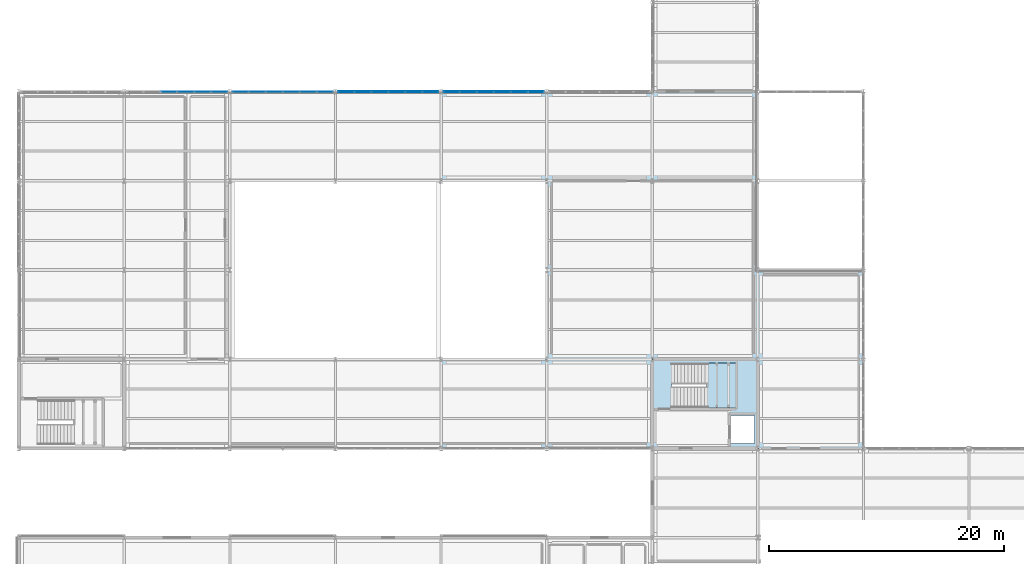
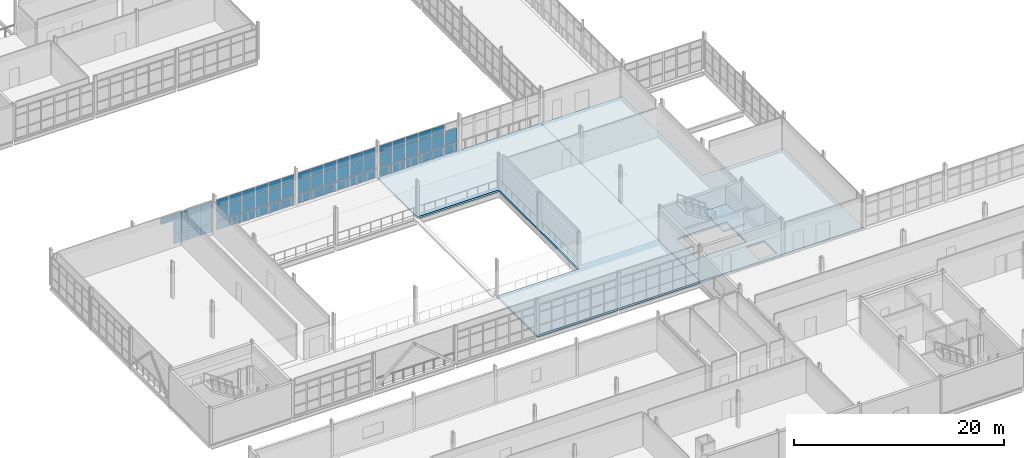
# One storey, part 130 of 174: 63 plates, 3 slabs, 5 elements without a shape of their own.
"""IFC4 building model written with IfcOpenShell, lengths in metres."""

import ifcopenshell
import ifcopenshell.guid

model = None  # the IFC model being written
_history = None  # IfcOwnerHistory: only IFC2X3 demands one
_inside = {}  # id of a spatial element -> (the spatial element, [elements in it])
_under = {}  # id of a project, library or spatial element -> (it, [spatial elements below it])
_declared = {}  # id of a project -> (the project, [libraries it declares])
_typed = {}  # id of a type object -> (the type object, [elements of that type])
_made_of = {}  # id of a material, layer set ... -> (it, [elements and type objects made of it])


def new_model(schema):
    """Start an empty IFC model of exactly this schema.

    Asked for "IFC4X3", IfcOpenShell would pick the latest addendum, in which some entities
    have other attributes; the version numbers below select the first issue.
    IFC2X3 requires an IfcOwnerHistory on every rooted entity: one is made here for all.
    """
    global model, _history
    if schema == "IFC4X3":
        model = ifcopenshell.file(schema_version=(4, 3, 0, 0))
    else:
        model = ifcopenshell.file(schema=schema)
    _inside.clear()
    _under.clear()
    _declared.clear()
    _typed.clear()
    _made_of.clear()
    _history = None
    if model.schema == "IFC2X3":
        org = make("IfcOrganization", Name="unknown")
        user = make(
            "IfcPersonAndOrganization",
            ThePerson=make("IfcPerson", FamilyName="unknown"),
            TheOrganization=org,
        )
        app = make(
            "IfcApplication",
            ApplicationDeveloper=org,
            Version="unknown",
            ApplicationFullName="unknown",
            ApplicationIdentifier="unknown",
        )
        _history = make(
            "IfcOwnerHistory",
            OwningUser=user,
            OwningApplication=app,
            ChangeAction="ADDED",
            CreationDate=0,
        )
    return model


def make(cls, **values):
    """One entity of the class cls with the attributes given. An attribute that is None is left unset."""
    return model.create_entity(
        cls, **{name: value for name, value in values.items() if value is not None}
    )


def rooted(cls, **values):
    """An entity with a GlobalId (a new one), such as an element, a storey or a relation."""
    return make(cls, GlobalId=ifcopenshell.guid.new(), OwnerHistory=_history, **values)


def si_unit(unit_type, name, prefix=None):
    """IfcSIUnit, for example si_unit("LENGTHUNIT", "METRE", prefix="MILLI")."""
    return make("IfcSIUnit", UnitType=unit_type, Prefix=prefix, Name=name)


def assignment(units):
    """IfcUnitAssignment: the units of a project."""
    return None if units is None else make("IfcUnitAssignment", Units=units)


def point(xyz):
    """IfcCartesianPoint."""
    return None if xyz is None else make("IfcCartesianPoint", Coordinates=xyz)


def direction(xyz):
    """IfcDirection."""
    return None if xyz is None else make("IfcDirection", DirectionRatios=xyz)


def frame(location, z_axis=None, x_axis=None):
    """IfcAxis2Placement3D, a coordinate frame: its origin and axes. An axis left out is left unset."""
    return make(
        "IfcAxis2Placement3D",
        Location=point(location),
        Axis=direction(z_axis),
        RefDirection=direction(x_axis),
    )


def frame_2d(location, x_axis=None):
    """IfcAxis2Placement2D, a coordinate frame in the plane: its origin and x axis."""
    return make(
        "IfcAxis2Placement2D", Location=point(location), RefDirection=direction(x_axis)
    )


def origin():
    """The frame at (0, 0, 0) with its axes left unset."""
    return frame((0.0, 0.0, 0.0))


def origin_2d():
    """The frame at (0, 0) in the plane with its x axis left unset."""
    return frame_2d((0.0, 0.0))


def place(relative_to, where):
    """IfcLocalPlacement: puts the frame where relative to a parent placement (None: the world)."""
    return make(
        "IfcLocalPlacement", PlacementRelTo=relative_to, RelativePlacement=where
    )


def context(
    kind, dimensions, precision=None, world=None, true_north=None, identifier=None
):
    """IfcGeometricRepresentationContext, for example the 3D "Model" context."""
    return make(
        "IfcGeometricRepresentationContext",
        ContextIdentifier=identifier,
        ContextType=kind,
        CoordinateSpaceDimension=dimensions,
        Precision=precision,
        WorldCoordinateSystem=world,
        TrueNorth=true_north,
    )


def subcontext(parent, identifier, kind, view, scale=None):
    """IfcGeometricRepresentationSubContext, for example "Body" below "Model"."""
    return make(
        "IfcGeometricRepresentationSubContext",
        ContextIdentifier=identifier,
        ContextType=kind,
        ParentContext=parent,
        TargetScale=scale,
        TargetView=view,
    )


def project(units=None, contexts=None):
    """IfcProject with its units and contexts."""
    return rooted(
        "IfcProject",
        Name="project",
        RepresentationContexts=contexts,
        UnitsInContext=assignment(units),
    )


def spatial(cls, under=None, at=None, **own):
    """A site, building, storey or space (cls), placed at a placement, below another one or the project."""
    s = rooted(cls, ObjectPlacement=at, **own)
    if under is not None:
        _under.setdefault(under.id(), (under, []))[1].append(s)
    return s


def polyline(points):
    """IfcPolyline through the points."""
    return make("IfcPolyline", Points=[point(p) for p in points])


def profile(cls, at=None, kind="AREA", **sizes):
    """A parametric profile (cls). Its sizes go by their IFC names, for example OverallWidth=200.0."""
    return make(cls, ProfileType=kind, Position=at, **sizes)


def rectangle(**sizes):
    """IfcRectangleProfileDef."""
    return profile("IfcRectangleProfileDef", **sizes)


def outline(outer, holes=None, kind="AREA"):
    """IfcArbitraryClosedProfileDef: a profile drawn as a closed curve; with holes, ...WithVoids."""
    if holes is None:
        return make("IfcArbitraryClosedProfileDef", ProfileType=kind, OuterCurve=outer)
    return make(
        "IfcArbitraryProfileDefWithVoids",
        ProfileType=kind,
        OuterCurve=outer,
        InnerCurves=holes,
    )


def extrude(swept, where, along, depth):
    """IfcExtrudedAreaSolid: the profile swept, set in the frame where, extruded along a direction by depth."""
    return make(
        "IfcExtrudedAreaSolid",
        SweptArea=swept,
        Position=where,
        ExtrudedDirection=direction(along),
        Depth=depth,
    )


def shape(context_of_items, identifier, shape_type, items):
    """IfcShapeRepresentation: the items that make up one representation, for example the "Body"."""
    return make(
        "IfcShapeRepresentation",
        ContextOfItems=context_of_items,
        RepresentationIdentifier=identifier,
        RepresentationType=shape_type,
        Items=items,
    )


def material(Name=None, Category=None):
    """IfcMaterial."""
    return make("IfcMaterial", Name=Name, Category=Category)


def layer(
    of_material, thickness, ventilated=None, Name=None, Category=None, Priority=None
):
    """IfcMaterialLayer: one layer of a wall or slab, of a material (None: an air gap)."""
    return make(
        "IfcMaterialLayer",
        Material=of_material,
        LayerThickness=thickness,
        IsVentilated=ventilated,
        Name=Name,
        Category=Category,
        Priority=Priority,
    )


def layer_set(layers, Name=None):
    """IfcMaterialLayerSet."""
    return make("IfcMaterialLayerSet", MaterialLayers=layers, LayerSetName=Name)


def made_of(thing, what):
    """Note that an element or type object is made of a material, layer set ...; save() writes the relation."""
    if what is not None:
        _made_of.setdefault(what.id(), (what, []))[1].append(thing)
    return thing


def type_object(cls, material=None, **own):
    """A type object (cls), such as IfcWallType, which elements share."""
    return made_of(rooted(cls, **own), material)


def element(
    cls,
    number,
    at=None,
    inside=None,
    cuts=None,
    type_object=None,
    material=None,
    context=None,
    identifier="Body",
    shape_type=None,
    held_by="IfcProductDefinitionShape",
    body=None,
    shapes=None,
    **own,
):
    """One element of the class cls, such as IfcWall. Its Tag is "e" and its number.

    at: its placement. inside: the storey or other place that contains it. cuts: it is an
    opening in that element (IfcRelVoidsElement). A single representation is given by context,
    identifier, shape_type and body (its items); several are given by shapes. held_by: the class
    of the entity that holds the representations. save() writes the other relations.
    """
    e = rooted(cls, Tag="e%d" % number, ObjectPlacement=at, **own)
    if body is not None:
        shapes = [shape(context, identifier, shape_type, body)]
    if shapes is not None:
        e.Representation = make(held_by, Representations=shapes)
    if inside is not None:
        _inside.setdefault(inside.id(), (inside, []))[1].append(e)
    if cuts is not None:
        rooted(
            "IfcRelVoidsElement", RelatingBuildingElement=cuts, RelatedOpeningElement=e
        )
    if type_object is not None:
        _typed.setdefault(type_object.id(), (type_object, []))[1].append(e)
    return made_of(e, material)


def aggregate(whole, parts):
    """IfcRelAggregates: a whole, such as a stair, and the parts it consists of."""
    return rooted("IfcRelAggregates", RelatingObject=whole, RelatedObjects=parts)


def save(model, path):
    """Write the relations noted so far, then the file.

    IfcRelAggregates (storeys below a building ...), IfcRelContainedInSpatialStructure (elements
    in a storey), IfcRelDefinesByType, IfcRelAssociatesMaterial and IfcRelDeclares: one each for
    every whole, place, type object, material and project.
    """
    for whole, parts in _under.values():
        aggregate(whole, parts)
    for where, things in _inside.values():
        rooted(
            "IfcRelContainedInSpatialStructure",
            RelatedElements=things,
            RelatingStructure=where,
        )
    for kind, things in _typed.values():
        rooted("IfcRelDefinesByType", RelatedObjects=things, RelatingType=kind)
    for what, things in _made_of.values():
        rooted("IfcRelAssociatesMaterial", RelatedObjects=things, RelatingMaterial=what)
    for by, libraries in _declared.values():
        rooted("IfcRelDeclares", RelatingContext=by, RelatedDefinitions=libraries)
    model.write(path)


model = new_model("IFC4")

# Units and contexts
model_context = context("Model", 3, precision=1e-05, world=origin(), true_north=direction((0.0, 1.0)))
body_context = subcontext(model_context, "Body", "Model", "MODEL_VIEW")
ifc_project = project(units=[si_unit("LENGTHUNIT", "METRE"), si_unit("AREAUNIT", "SQUARE_METRE"), si_unit("VOLUMEUNIT", "CUBIC_METRE"), si_unit("PLANEANGLEUNIT", "RADIAN"), si_unit("MASSUNIT", "GRAM", prefix="KILO")], contexts=[model_context])

# Site, building, storey
site_placement = place(None, origin())
site = spatial("IfcSite", under=ifc_project, at=site_placement, CompositionType="ELEMENT")
building_placement = place(site_placement, origin())
building = spatial("IfcBuilding", under=site, at=building_placement, Name="Caisbarro Railhouse Central Library", CompositionType="ELEMENT")
storey_placement = place(building_placement, frame((0.0, 0.0, 5.0400390625)))
storey = spatial("IfcBuildingStorey", under=building, at=storey_placement, Name="L01", CompositionType="ELEMENT", Elevation=5.0400390625)

# Curtain wall, plates
ifc_material_1 = material(Name="Anodised architectural aluminium", Category="aluminium")
curtain_wall_type = type_object("IfcCurtainWallType", Name="CW-CW02", PredefinedType="NOTDEFINED", material=ifc_material_1)
curtain_wall_1_placement = place(storey_placement, origin())
curtain_wall_1 = element("IfcCurtainWall", 1, at=curtain_wall_1_placement, inside=storey, type_object=curtain_wall_type, Name="CW02 curtain wall L01 #4", PredefinedType="NOTDEFINED")
ifc_material_2 = material(Name="Double low-e laminated solar-control glass", Category="glass")
ifc_layer_1 = layer(ifc_material_2, 0.028076171875, Name="Double low-e laminated solar-control glass")
ifc_layer_set_1 = layer_set([ifc_layer_1], Name="Double low-e laminated solar-control glass")
plate_type_1 = type_object("IfcPlateType", Name="CWP-CP28", PredefinedType="CURTAIN_PANEL", material=ifc_layer_set_1)
plate_1_placement = place(storey_placement, frame((12.776611328125, 60.800048828125, 2.8125), z_axis=(0.0, 0.0, 1.0), x_axis=(1.0, 0.0, 0.0)))
plate_1 = element("IfcPlate", 2, at=plate_1_placement, type_object=plate_type_1, Name="CW02 panel 3.3", PredefinedType="CURTAIN_PANEL", context=body_context, shape_type="SweptSolid", body=[
    extrude(rectangle(XDim=1.37158203125, YDim=0.028076171875, at=origin_2d()), origin(), (0.0, 0.0, 1.0), 0.75244140625),
])
plate_2_placement = place(storey_placement, frame((14.223388671875, 60.800048828125, 0.06494140625), z_axis=(0.0, 0.0, 1.0), x_axis=(1.0, 0.0, 0.0)))
plate_2 = element("IfcPlate", 3, at=plate_2_placement, type_object=plate_type_1, Name="CW02 panel 4.1", PredefinedType="CURTAIN_PANEL", context=body_context, shape_type="SweptSolid", body=[
    extrude(rectangle(XDim=1.37158203125, YDim=0.028076171875, at=origin_2d()), origin(), (0.0, 0.0, 1.0), 1.0224609375),
])
plate_3_placement = place(storey_placement, frame((14.223388671875, 60.800048828125, 1.15234375), z_axis=(0.0, 0.0, 1.0), x_axis=(1.0, 0.0, 0.0)))
plate_3 = element("IfcPlate", 4, at=plate_3_placement, type_object=plate_type_1, Name="CW02 panel 4.2", PredefinedType="CURTAIN_PANEL", context=body_context, shape_type="SweptSolid", body=[
    extrude(rectangle(XDim=1.37158203125, YDim=0.028076171875, at=origin_2d()), origin(), (0.0, 0.0, 1.0), 1.594970703125),
])
plate_4_placement = place(storey_placement, frame((14.223388671875, 60.800048828125, 2.8125), z_axis=(0.0, 0.0, 1.0), x_axis=(1.0, 0.0, 0.0)))
plate_4 = element("IfcPlate", 5, at=plate_4_placement, type_object=plate_type_1, Name="CW02 panel 4.3", PredefinedType="CURTAIN_PANEL", context=body_context, shape_type="SweptSolid", body=[
    extrude(rectangle(XDim=1.37158203125, YDim=0.028076171875, at=origin_2d()), origin(), (0.0, 0.0, 1.0), 0.75244140625),
])
plate_5_placement = place(storey_placement, frame((15.669921875, 60.800048828125, 0.06494140625), z_axis=(0.0, 0.0, 1.0), x_axis=(1.0, 0.0, 0.0)))
plate_5 = element("IfcPlate", 6, at=plate_5_placement, type_object=plate_type_1, Name="CW02 panel 5.1", PredefinedType="CURTAIN_PANEL", context=body_context, shape_type="SweptSolid", body=[
    extrude(rectangle(XDim=1.37158203125, YDim=0.028076171875, at=origin_2d()), origin(), (0.0, 0.0, 1.0), 1.0224609375),
])
plate_6_placement = place(storey_placement, frame((15.669921875, 60.800048828125, 1.15234375), z_axis=(0.0, 0.0, 1.0), x_axis=(1.0, 0.0, 0.0)))
plate_6 = element("IfcPlate", 7, at=plate_6_placement, type_object=plate_type_1, Name="CW02 panel 5.2", PredefinedType="CURTAIN_PANEL", context=body_context, shape_type="SweptSolid", body=[
    extrude(rectangle(XDim=1.37158203125, YDim=0.028076171875, at=origin_2d()), origin(), (0.0, 0.0, 1.0), 1.594970703125),
])
plate_7_placement = place(storey_placement, frame((15.669921875, 60.800048828125, 2.8125), z_axis=(0.0, 0.0, 1.0), x_axis=(1.0, 0.0, 0.0)))
plate_7 = element("IfcPlate", 8, at=plate_7_placement, type_object=plate_type_1, Name="CW02 panel 5.3", PredefinedType="CURTAIN_PANEL", context=body_context, shape_type="SweptSolid", body=[
    extrude(rectangle(XDim=1.37158203125, YDim=0.028076171875, at=origin_2d()), origin(), (0.0, 0.0, 1.0), 0.75244140625),
])
plate_8_placement = place(storey_placement, frame((17.097900390625, 60.800048828125, 0.06494140625), z_axis=(0.0, 0.0, 1.0), x_axis=(1.0, 0.0, 0.0)))
plate_8 = element("IfcPlate", 9, at=plate_8_placement, type_object=plate_type_1, Name="CW02 panel 6.1", PredefinedType="CURTAIN_PANEL", context=body_context, shape_type="SweptSolid", body=[
    extrude(rectangle(XDim=1.334228515625, YDim=0.028076171875, at=origin_2d()), origin(), (0.0, 0.0, 1.0), 1.0224609375),
])
plate_9_placement = place(storey_placement, frame((17.097900390625, 60.800048828125, 1.15234375), z_axis=(0.0, 0.0, 1.0), x_axis=(1.0, 0.0, 0.0)))
plate_9 = element("IfcPlate", 10, at=plate_9_placement, type_object=plate_type_1, Name="CW02 panel 6.2", PredefinedType="CURTAIN_PANEL", context=body_context, shape_type="SweptSolid", body=[
    extrude(rectangle(XDim=1.334228515625, YDim=0.028076171875, at=origin_2d()), origin(), (0.0, 0.0, 1.0), 1.594970703125),
])
plate_10_placement = place(storey_placement, frame((17.097900390625, 60.800048828125, 2.8125), z_axis=(0.0, 0.0, 1.0), x_axis=(1.0, 0.0, 0.0)))
plate_10 = element("IfcPlate", 11, at=plate_10_placement, type_object=plate_type_1, Name="CW02 panel 6.3", PredefinedType="CURTAIN_PANEL", context=body_context, shape_type="SweptSolid", body=[
    extrude(rectangle(XDim=1.334228515625, YDim=0.028076171875, at=origin_2d()), origin(), (0.0, 0.0, 1.0), 0.75244140625),
])
aggregate(curtain_wall_1, [plate_1, plate_2, plate_3, plate_4, plate_5, plate_6, plate_7, plate_8, plate_9, plate_10])

curtain_wall_2_placement = place(storey_placement, origin())
curtain_wall_2 = element("IfcCurtainWall", 12, at=curtain_wall_2_placement, inside=storey, type_object=curtain_wall_type, Name="CW02 curtain wall L01 #7", PredefinedType="NOTDEFINED")
ifc_layer_2 = layer(ifc_material_2, 0.0380859375, Name="Double low-e laminated solar-control glass")
ifc_layer_set_2 = layer_set([ifc_layer_2], Name="Double low-e laminated solar-control glass")
plate_type_2 = type_object("IfcPlateType", Name="CWP-CP38", PredefinedType="CURTAIN_PANEL", material=ifc_layer_set_2)
plate_11_placement = place(storey_placement, frame((18.902099609375, 60.800048828125, 0.06494140625), z_axis=(0.0, 0.0, 1.0), x_axis=(1.0, 0.0, 0.0)))
plate_11 = element("IfcPlate", 13, at=plate_11_placement, type_object=plate_type_2, Name="CW02 panel 1.1", PredefinedType="CURTAIN_PANEL", context=body_context, shape_type="SweptSolid", body=[
    extrude(rectangle(XDim=1.334228515625, YDim=0.0380859375, at=origin_2d()), origin(), (0.0, 0.0, 1.0), 1.0224609375),
])
plate_12_placement = place(storey_placement, frame((18.902099609375, 60.800048828125, 1.15234375), z_axis=(0.0, 0.0, 1.0), x_axis=(1.0, 0.0, 0.0)))
plate_12 = element("IfcPlate", 14, at=plate_12_placement, type_object=plate_type_2, Name="CW02 panel 1.2", PredefinedType="CURTAIN_PANEL", context=body_context, shape_type="SweptSolid", body=[
    extrude(rectangle(XDim=1.334228515625, YDim=0.0380859375, at=origin_2d()), origin(), (0.0, 0.0, 1.0), 1.594970703125),
])
plate_13_placement = place(storey_placement, frame((18.902099609375, 60.800048828125, 2.8125), z_axis=(0.0, 0.0, 1.0), x_axis=(1.0, 0.0, 0.0)))
plate_13 = element("IfcPlate", 15, at=plate_13_placement, type_object=plate_type_2, Name="CW02 panel 1.3", PredefinedType="CURTAIN_PANEL", context=body_context, shape_type="SweptSolid", body=[
    extrude(rectangle(XDim=1.334228515625, YDim=0.0380859375, at=origin_2d()), origin(), (0.0, 0.0, 1.0), 0.75244140625),
])
plate_14_placement = place(storey_placement, frame((20.330078125, 60.800048828125, 0.06494140625), z_axis=(0.0, 0.0, 1.0), x_axis=(1.0, 0.0, 0.0)))
plate_14 = element("IfcPlate", 16, at=plate_14_placement, type_object=plate_type_2, Name="CW02 panel 2.1", PredefinedType="CURTAIN_PANEL", context=body_context, shape_type="SweptSolid", body=[
    extrude(rectangle(XDim=1.37158203125, YDim=0.0380859375, at=origin_2d()), origin(), (0.0, 0.0, 1.0), 1.0224609375),
])
plate_15_placement = place(storey_placement, frame((20.330078125, 60.800048828125, 1.15234375), z_axis=(0.0, 0.0, 1.0), x_axis=(1.0, 0.0, 0.0)))
plate_15 = element("IfcPlate", 17, at=plate_15_placement, type_object=plate_type_2, Name="CW02 panel 2.2", PredefinedType="CURTAIN_PANEL", context=body_context, shape_type="SweptSolid", body=[
    extrude(rectangle(XDim=1.37158203125, YDim=0.0380859375, at=origin_2d()), origin(), (0.0, 0.0, 1.0), 1.594970703125),
])
plate_16_placement = place(storey_placement, frame((20.330078125, 60.800048828125, 2.8125), z_axis=(0.0, 0.0, 1.0), x_axis=(1.0, 0.0, 0.0)))
plate_16 = element("IfcPlate", 18, at=plate_16_placement, type_object=plate_type_2, Name="CW02 panel 2.3", PredefinedType="CURTAIN_PANEL", context=body_context, shape_type="SweptSolid", body=[
    extrude(rectangle(XDim=1.37158203125, YDim=0.0380859375, at=origin_2d()), origin(), (0.0, 0.0, 1.0), 0.75244140625),
])
plate_17_placement = place(storey_placement, frame((21.776611328125, 60.800048828125, 0.06494140625), z_axis=(0.0, 0.0, 1.0), x_axis=(1.0, 0.0, 0.0)))
plate_17 = element("IfcPlate", 19, at=plate_17_placement, type_object=plate_type_2, Name="CW02 panel 3.1", PredefinedType="CURTAIN_PANEL", context=body_context, shape_type="SweptSolid", body=[
    extrude(rectangle(XDim=1.37158203125, YDim=0.0380859375, at=origin_2d()), origin(), (0.0, 0.0, 1.0), 1.0224609375),
])
plate_18_placement = place(storey_placement, frame((21.776611328125, 60.800048828125, 1.15234375), z_axis=(0.0, 0.0, 1.0), x_axis=(1.0, 0.0, 0.0)))
plate_18 = element("IfcPlate", 20, at=plate_18_placement, type_object=plate_type_2, Name="CW02 panel 3.2", PredefinedType="CURTAIN_PANEL", context=body_context, shape_type="SweptSolid", body=[
    extrude(rectangle(XDim=1.37158203125, YDim=0.0380859375, at=origin_2d()), origin(), (0.0, 0.0, 1.0), 1.594970703125),
])
plate_19_placement = place(storey_placement, frame((21.776611328125, 60.800048828125, 2.8125), z_axis=(0.0, 0.0, 1.0), x_axis=(1.0, 0.0, 0.0)))
plate_19 = element("IfcPlate", 21, at=plate_19_placement, type_object=plate_type_2, Name="CW02 panel 3.3", PredefinedType="CURTAIN_PANEL", context=body_context, shape_type="SweptSolid", body=[
    extrude(rectangle(XDim=1.37158203125, YDim=0.0380859375, at=origin_2d()), origin(), (0.0, 0.0, 1.0), 0.75244140625),
])
plate_20_placement = place(storey_placement, frame((23.223388671875, 60.800048828125, 0.06494140625), z_axis=(0.0, 0.0, 1.0), x_axis=(1.0, 0.0, 0.0)))
plate_20 = element("IfcPlate", 22, at=plate_20_placement, type_object=plate_type_2, Name="CW02 panel 4.1", PredefinedType="CURTAIN_PANEL", context=body_context, shape_type="SweptSolid", body=[
    extrude(rectangle(XDim=1.37158203125, YDim=0.0380859375, at=origin_2d()), origin(), (0.0, 0.0, 1.0), 1.0224609375),
])
plate_21_placement = place(storey_placement, frame((23.223388671875, 60.800048828125, 1.15234375), z_axis=(0.0, 0.0, 1.0), x_axis=(1.0, 0.0, 0.0)))
plate_21 = element("IfcPlate", 23, at=plate_21_placement, type_object=plate_type_2, Name="CW02 panel 4.2", PredefinedType="CURTAIN_PANEL", context=body_context, shape_type="SweptSolid", body=[
    extrude(rectangle(XDim=1.37158203125, YDim=0.0380859375, at=origin_2d()), origin(), (0.0, 0.0, 1.0), 1.594970703125),
])
plate_22_placement = place(storey_placement, frame((23.223388671875, 60.800048828125, 2.8125), z_axis=(0.0, 0.0, 1.0), x_axis=(1.0, 0.0, 0.0)))
plate_22 = element("IfcPlate", 24, at=plate_22_placement, type_object=plate_type_2, Name="CW02 panel 4.3", PredefinedType="CURTAIN_PANEL", context=body_context, shape_type="SweptSolid", body=[
    extrude(rectangle(XDim=1.37158203125, YDim=0.0380859375, at=origin_2d()), origin(), (0.0, 0.0, 1.0), 0.75244140625),
])
plate_23_placement = place(storey_placement, frame((24.669921875, 60.800048828125, 0.06494140625), z_axis=(0.0, 0.0, 1.0), x_axis=(1.0, 0.0, 0.0)))
plate_23 = element("IfcPlate", 25, at=plate_23_placement, type_object=plate_type_2, Name="CW02 panel 5.1", PredefinedType="CURTAIN_PANEL", context=body_context, shape_type="SweptSolid", body=[
    extrude(rectangle(XDim=1.37158203125, YDim=0.0380859375, at=origin_2d()), origin(), (0.0, 0.0, 1.0), 1.0224609375),
])
plate_24_placement = place(storey_placement, frame((24.669921875, 60.800048828125, 1.15234375), z_axis=(0.0, 0.0, 1.0), x_axis=(1.0, 0.0, 0.0)))
plate_24 = element("IfcPlate", 26, at=plate_24_placement, type_object=plate_type_2, Name="CW02 panel 5.2", PredefinedType="CURTAIN_PANEL", context=body_context, shape_type="SweptSolid", body=[
    extrude(rectangle(XDim=1.37158203125, YDim=0.0380859375, at=origin_2d()), origin(), (0.0, 0.0, 1.0), 1.594970703125),
])
plate_25_placement = place(storey_placement, frame((24.669921875, 60.800048828125, 2.8125), z_axis=(0.0, 0.0, 1.0), x_axis=(1.0, 0.0, 0.0)))
plate_25 = element("IfcPlate", 27, at=plate_25_placement, type_object=plate_type_2, Name="CW02 panel 5.3", PredefinedType="CURTAIN_PANEL", context=body_context, shape_type="SweptSolid", body=[
    extrude(rectangle(XDim=1.37158203125, YDim=0.0380859375, at=origin_2d()), origin(), (0.0, 0.0, 1.0), 0.75244140625),
])
plate_26_placement = place(storey_placement, frame((26.097900390625, 60.800048828125, 0.06494140625), z_axis=(0.0, 0.0, 1.0), x_axis=(1.0, 0.0, 0.0)))
plate_26 = element("IfcPlate", 28, at=plate_26_placement, type_object=plate_type_2, Name="CW02 panel 6.1", PredefinedType="CURTAIN_PANEL", context=body_context, shape_type="SweptSolid", body=[
    extrude(rectangle(XDim=1.334228515625, YDim=0.0380859375, at=origin_2d()), origin(), (0.0, 0.0, 1.0), 1.0224609375),
])
plate_27_placement = place(storey_placement, frame((26.097900390625, 60.800048828125, 1.15234375), z_axis=(0.0, 0.0, 1.0), x_axis=(1.0, 0.0, 0.0)))
plate_27 = element("IfcPlate", 29, at=plate_27_placement, type_object=plate_type_2, Name="CW02 panel 6.2", PredefinedType="CURTAIN_PANEL", context=body_context, shape_type="SweptSolid", body=[
    extrude(rectangle(XDim=1.334228515625, YDim=0.0380859375, at=origin_2d()), origin(), (0.0, 0.0, 1.0), 1.594970703125),
])
plate_28_placement = place(storey_placement, frame((26.097900390625, 60.800048828125, 2.8125), z_axis=(0.0, 0.0, 1.0), x_axis=(1.0, 0.0, 0.0)))
plate_28 = element("IfcPlate", 30, at=plate_28_placement, type_object=plate_type_2, Name="CW02 panel 6.3", PredefinedType="CURTAIN_PANEL", context=body_context, shape_type="SweptSolid", body=[
    extrude(rectangle(XDim=1.334228515625, YDim=0.0380859375, at=origin_2d()), origin(), (0.0, 0.0, 1.0), 0.75244140625),
])
aggregate(curtain_wall_2, [plate_11, plate_12, plate_13, plate_14, plate_15, plate_16, plate_17, plate_18, plate_19, plate_20, plate_21, plate_22, plate_23, plate_24, plate_25, plate_26, plate_27, plate_28])

curtain_wall_3_placement = place(storey_placement, origin())
curtain_wall_3 = element("IfcCurtainWall", 31, at=curtain_wall_3_placement, inside=storey, type_object=curtain_wall_type, Name="CW02 curtain wall L01 #10", PredefinedType="NOTDEFINED")
ifc_layer_3 = layer(ifc_material_2, 0.048095703125, Name="Double low-e laminated solar-control glass")
ifc_layer_set_3 = layer_set([ifc_layer_3], Name="Double low-e laminated solar-control glass")
plate_type_3 = type_object("IfcPlateType", Name="CWP-CP48", PredefinedType="CURTAIN_PANEL", material=ifc_layer_set_3)
plate_29_placement = place(storey_placement, frame((27.902099609375, 60.800048828125, 0.06494140625), z_axis=(0.0, 0.0, 1.0), x_axis=(1.0, 0.0, 0.0)))
plate_29 = element("IfcPlate", 32, at=plate_29_placement, type_object=plate_type_3, Name="CW02 panel 1.1", PredefinedType="CURTAIN_PANEL", context=body_context, shape_type="SweptSolid", body=[
    extrude(rectangle(XDim=1.334228515625, YDim=0.048095703125, at=origin_2d()), origin(), (0.0, 0.0, 1.0), 1.0224609375),
])
plate_30_placement = place(storey_placement, frame((27.902099609375, 60.800048828125, 1.15234375), z_axis=(0.0, 0.0, 1.0), x_axis=(1.0, 0.0, 0.0)))
plate_30 = element("IfcPlate", 33, at=plate_30_placement, type_object=plate_type_3, Name="CW02 panel 1.2", PredefinedType="CURTAIN_PANEL", context=body_context, shape_type="SweptSolid", body=[
    extrude(rectangle(XDim=1.334228515625, YDim=0.048095703125, at=origin_2d()), origin(), (0.0, 0.0, 1.0), 1.594970703125),
])
plate_31_placement = place(storey_placement, frame((27.902099609375, 60.800048828125, 2.8125), z_axis=(0.0, 0.0, 1.0), x_axis=(1.0, 0.0, 0.0)))
plate_31 = element("IfcPlate", 34, at=plate_31_placement, type_object=plate_type_3, Name="CW02 panel 1.3", PredefinedType="CURTAIN_PANEL", context=body_context, shape_type="SweptSolid", body=[
    extrude(rectangle(XDim=1.334228515625, YDim=0.048095703125, at=origin_2d()), origin(), (0.0, 0.0, 1.0), 0.75244140625),
])
plate_32_placement = place(storey_placement, frame((29.330078125, 60.800048828125, 0.06494140625), z_axis=(0.0, 0.0, 1.0), x_axis=(1.0, 0.0, 0.0)))
plate_32 = element("IfcPlate", 35, at=plate_32_placement, type_object=plate_type_3, Name="CW02 panel 2.1", PredefinedType="CURTAIN_PANEL", context=body_context, shape_type="SweptSolid", body=[
    extrude(rectangle(XDim=1.37158203125, YDim=0.048095703125, at=origin_2d()), origin(), (0.0, 0.0, 1.0), 1.0224609375),
])
plate_33_placement = place(storey_placement, frame((29.330078125, 60.800048828125, 1.15234375), z_axis=(0.0, 0.0, 1.0), x_axis=(1.0, 0.0, 0.0)))
plate_33 = element("IfcPlate", 36, at=plate_33_placement, type_object=plate_type_3, Name="CW02 panel 2.2", PredefinedType="CURTAIN_PANEL", context=body_context, shape_type="SweptSolid", body=[
    extrude(rectangle(XDim=1.37158203125, YDim=0.048095703125, at=origin_2d()), origin(), (0.0, 0.0, 1.0), 1.594970703125),
])
plate_34_placement = place(storey_placement, frame((29.330078125, 60.800048828125, 2.8125), z_axis=(0.0, 0.0, 1.0), x_axis=(1.0, 0.0, 0.0)))
plate_34 = element("IfcPlate", 37, at=plate_34_placement, type_object=plate_type_3, Name="CW02 panel 2.3", PredefinedType="CURTAIN_PANEL", context=body_context, shape_type="SweptSolid", body=[
    extrude(rectangle(XDim=1.37158203125, YDim=0.048095703125, at=origin_2d()), origin(), (0.0, 0.0, 1.0), 0.75244140625),
])
plate_35_placement = place(storey_placement, frame((30.776611328125, 60.800048828125, 0.06494140625), z_axis=(0.0, 0.0, 1.0), x_axis=(1.0, 0.0, 0.0)))
plate_35 = element("IfcPlate", 38, at=plate_35_placement, type_object=plate_type_3, Name="CW02 panel 3.1", PredefinedType="CURTAIN_PANEL", context=body_context, shape_type="SweptSolid", body=[
    extrude(rectangle(XDim=1.37158203125, YDim=0.048095703125, at=origin_2d()), origin(), (0.0, 0.0, 1.0), 1.0224609375),
])
plate_36_placement = place(storey_placement, frame((30.776611328125, 60.800048828125, 1.15234375), z_axis=(0.0, 0.0, 1.0), x_axis=(1.0, 0.0, 0.0)))
plate_36 = element("IfcPlate", 39, at=plate_36_placement, type_object=plate_type_3, Name="CW02 panel 3.2", PredefinedType="CURTAIN_PANEL", context=body_context, shape_type="SweptSolid", body=[
    extrude(rectangle(XDim=1.37158203125, YDim=0.048095703125, at=origin_2d()), origin(), (0.0, 0.0, 1.0), 1.594970703125),
])
plate_37_placement = place(storey_placement, frame((30.776611328125, 60.800048828125, 2.8125), z_axis=(0.0, 0.0, 1.0), x_axis=(1.0, 0.0, 0.0)))
plate_37 = element("IfcPlate", 40, at=plate_37_placement, type_object=plate_type_3, Name="CW02 panel 3.3", PredefinedType="CURTAIN_PANEL", context=body_context, shape_type="SweptSolid", body=[
    extrude(rectangle(XDim=1.37158203125, YDim=0.048095703125, at=origin_2d()), origin(), (0.0, 0.0, 1.0), 0.75244140625),
])
plate_38_placement = place(storey_placement, frame((32.223388671875, 60.800048828125, 0.06494140625), z_axis=(0.0, 0.0, 1.0), x_axis=(1.0, 0.0, 0.0)))
plate_38 = element("IfcPlate", 41, at=plate_38_placement, type_object=plate_type_3, Name="CW02 panel 4.1", PredefinedType="CURTAIN_PANEL", context=body_context, shape_type="SweptSolid", body=[
    extrude(rectangle(XDim=1.37158203125, YDim=0.048095703125, at=origin_2d()), origin(), (0.0, 0.0, 1.0), 1.0224609375),
])
plate_39_placement = place(storey_placement, frame((32.223388671875, 60.800048828125, 1.15234375), z_axis=(0.0, 0.0, 1.0), x_axis=(1.0, 0.0, 0.0)))
plate_39 = element("IfcPlate", 42, at=plate_39_placement, type_object=plate_type_3, Name="CW02 panel 4.2", PredefinedType="CURTAIN_PANEL", context=body_context, shape_type="SweptSolid", body=[
    extrude(rectangle(XDim=1.37158203125, YDim=0.048095703125, at=origin_2d()), origin(), (0.0, 0.0, 1.0), 1.594970703125),
])
plate_40_placement = place(storey_placement, frame((32.223388671875, 60.800048828125, 2.8125), z_axis=(0.0, 0.0, 1.0), x_axis=(1.0, 0.0, 0.0)))
plate_40 = element("IfcPlate", 43, at=plate_40_placement, type_object=plate_type_3, Name="CW02 panel 4.3", PredefinedType="CURTAIN_PANEL", context=body_context, shape_type="SweptSolid", body=[
    extrude(rectangle(XDim=1.37158203125, YDim=0.048095703125, at=origin_2d()), origin(), (0.0, 0.0, 1.0), 0.75244140625),
])
plate_41_placement = place(storey_placement, frame((33.669921875, 60.800048828125, 0.06494140625), z_axis=(0.0, 0.0, 1.0), x_axis=(1.0, 0.0, 0.0)))
plate_41 = element("IfcPlate", 44, at=plate_41_placement, type_object=plate_type_3, Name="CW02 panel 5.1", PredefinedType="CURTAIN_PANEL", context=body_context, shape_type="SweptSolid", body=[
    extrude(rectangle(XDim=1.37158203125, YDim=0.048095703125, at=origin_2d()), origin(), (0.0, 0.0, 1.0), 1.0224609375),
])
plate_42_placement = place(storey_placement, frame((33.669921875, 60.800048828125, 1.15234375), z_axis=(0.0, 0.0, 1.0), x_axis=(1.0, 0.0, 0.0)))
plate_42 = element("IfcPlate", 45, at=plate_42_placement, type_object=plate_type_3, Name="CW02 panel 5.2", PredefinedType="CURTAIN_PANEL", context=body_context, shape_type="SweptSolid", body=[
    extrude(rectangle(XDim=1.37158203125, YDim=0.048095703125, at=origin_2d()), origin(), (0.0, 0.0, 1.0), 1.594970703125),
])
plate_43_placement = place(storey_placement, frame((33.669921875, 60.800048828125, 2.8125), z_axis=(0.0, 0.0, 1.0), x_axis=(1.0, 0.0, 0.0)))
plate_43 = element("IfcPlate", 46, at=plate_43_placement, type_object=plate_type_3, Name="CW02 panel 5.3", PredefinedType="CURTAIN_PANEL", context=body_context, shape_type="SweptSolid", body=[
    extrude(rectangle(XDim=1.37158203125, YDim=0.048095703125, at=origin_2d()), origin(), (0.0, 0.0, 1.0), 0.75244140625),
])
plate_44_placement = place(storey_placement, frame((35.097900390625, 60.800048828125, 0.06494140625), z_axis=(0.0, 0.0, 1.0), x_axis=(1.0, 0.0, 0.0)))
plate_44 = element("IfcPlate", 47, at=plate_44_placement, type_object=plate_type_3, Name="CW02 panel 6.1", PredefinedType="CURTAIN_PANEL", context=body_context, shape_type="SweptSolid", body=[
    extrude(rectangle(XDim=1.334228515625, YDim=0.048095703125, at=origin_2d()), origin(), (0.0, 0.0, 1.0), 1.0224609375),
])
plate_45_placement = place(storey_placement, frame((35.097900390625, 60.800048828125, 1.15234375), z_axis=(0.0, 0.0, 1.0), x_axis=(1.0, 0.0, 0.0)))
plate_45 = element("IfcPlate", 48, at=plate_45_placement, type_object=plate_type_3, Name="CW02 panel 6.2", PredefinedType="CURTAIN_PANEL", context=body_context, shape_type="SweptSolid", body=[
    extrude(rectangle(XDim=1.334228515625, YDim=0.048095703125, at=origin_2d()), origin(), (0.0, 0.0, 1.0), 1.594970703125),
])
plate_46_placement = place(storey_placement, frame((35.097900390625, 60.800048828125, 2.8125), z_axis=(0.0, 0.0, 1.0), x_axis=(1.0, 0.0, 0.0)))
plate_46 = element("IfcPlate", 49, at=plate_46_placement, type_object=plate_type_3, Name="CW02 panel 6.3", PredefinedType="CURTAIN_PANEL", context=body_context, shape_type="SweptSolid", body=[
    extrude(rectangle(XDim=1.334228515625, YDim=0.048095703125, at=origin_2d()), origin(), (0.0, 0.0, 1.0), 0.75244140625),
])
aggregate(curtain_wall_3, [plate_29, plate_30, plate_31, plate_32, plate_33, plate_34, plate_35, plate_36, plate_37, plate_38, plate_39, plate_40, plate_41, plate_42, plate_43, plate_44, plate_45, plate_46])

curtain_wall_4_placement = place(storey_placement, origin())
curtain_wall_4 = element("IfcCurtainWall", 50, at=curtain_wall_4_placement, inside=storey, type_object=curtain_wall_type, Name="CW02 curtain wall L01 #12", PredefinedType="NOTDEFINED")
ifc_layer_4 = layer(ifc_material_2, 0.05810546875, Name="Double low-e laminated solar-control glass")
ifc_layer_set_4 = layer_set([ifc_layer_4], Name="Double low-e laminated solar-control glass")
plate_type_4 = type_object("IfcPlateType", Name="CWP-CP58", PredefinedType="CURTAIN_PANEL", material=ifc_layer_set_4)
plate_47_placement = place(storey_placement, frame((36.902099609375, 60.800048828125, 0.06494140625), z_axis=(0.0, 0.0, 1.0), x_axis=(1.0, 0.0, 0.0)))
plate_47 = element("IfcPlate", 51, at=plate_47_placement, type_object=plate_type_4, Name="CW02 panel 1.1", PredefinedType="CURTAIN_PANEL", context=body_context, shape_type="SweptSolid", body=[
    extrude(rectangle(XDim=1.334228515625, YDim=0.05810546875, at=origin_2d()), origin(), (0.0, 0.0, 1.0), 1.0224609375),
])
plate_48_placement = place(storey_placement, frame((36.902099609375, 60.800048828125, 1.15234375), z_axis=(0.0, 0.0, 1.0), x_axis=(1.0, 0.0, 0.0)))
plate_48 = element("IfcPlate", 52, at=plate_48_placement, type_object=plate_type_4, Name="CW02 panel 1.2", PredefinedType="CURTAIN_PANEL", context=body_context, shape_type="SweptSolid", body=[
    extrude(rectangle(XDim=1.334228515625, YDim=0.05810546875, at=origin_2d()), origin(), (0.0, 0.0, 1.0), 1.594970703125),
])
plate_49_placement = place(storey_placement, frame((36.902099609375, 60.800048828125, 2.8125), z_axis=(0.0, 0.0, 1.0), x_axis=(1.0, 0.0, 0.0)))
plate_49 = element("IfcPlate", 53, at=plate_49_placement, type_object=plate_type_4, Name="CW02 panel 1.3", PredefinedType="CURTAIN_PANEL", context=body_context, shape_type="SweptSolid", body=[
    extrude(rectangle(XDim=1.334228515625, YDim=0.05810546875, at=origin_2d()), origin(), (0.0, 0.0, 1.0), 0.75244140625),
])
plate_50_placement = place(storey_placement, frame((38.330078125, 60.800048828125, 0.06494140625), z_axis=(0.0, 0.0, 1.0), x_axis=(1.0, 0.0, 0.0)))
plate_50 = element("IfcPlate", 54, at=plate_50_placement, type_object=plate_type_4, Name="CW02 panel 2.1", PredefinedType="CURTAIN_PANEL", context=body_context, shape_type="SweptSolid", body=[
    extrude(rectangle(XDim=1.37158203125, YDim=0.05810546875, at=origin_2d()), origin(), (0.0, 0.0, 1.0), 1.0224609375),
])
plate_51_placement = place(storey_placement, frame((38.330078125, 60.800048828125, 1.15234375), z_axis=(0.0, 0.0, 1.0), x_axis=(1.0, 0.0, 0.0)))
plate_51 = element("IfcPlate", 55, at=plate_51_placement, type_object=plate_type_4, Name="CW02 panel 2.2", PredefinedType="CURTAIN_PANEL", context=body_context, shape_type="SweptSolid", body=[
    extrude(rectangle(XDim=1.37158203125, YDim=0.05810546875, at=origin_2d()), origin(), (0.0, 0.0, 1.0), 1.594970703125),
])
plate_52_placement = place(storey_placement, frame((38.330078125, 60.800048828125, 2.8125), z_axis=(0.0, 0.0, 1.0), x_axis=(1.0, 0.0, 0.0)))
plate_52 = element("IfcPlate", 56, at=plate_52_placement, type_object=plate_type_4, Name="CW02 panel 2.3", PredefinedType="CURTAIN_PANEL", context=body_context, shape_type="SweptSolid", body=[
    extrude(rectangle(XDim=1.37158203125, YDim=0.05810546875, at=origin_2d()), origin(), (0.0, 0.0, 1.0), 0.75244140625),
])
plate_53_placement = place(storey_placement, frame((39.776611328125, 60.800048828125, 0.06494140625), z_axis=(0.0, 0.0, 1.0), x_axis=(1.0, 0.0, 0.0)))
plate_53 = element("IfcPlate", 57, at=plate_53_placement, type_object=plate_type_4, Name="CW02 panel 3.1", PredefinedType="CURTAIN_PANEL", context=body_context, shape_type="SweptSolid", body=[
    extrude(rectangle(XDim=1.37158203125, YDim=0.05810546875, at=origin_2d()), origin(), (0.0, 0.0, 1.0), 1.0224609375),
])
plate_54_placement = place(storey_placement, frame((39.776611328125, 60.800048828125, 1.15234375), z_axis=(0.0, 0.0, 1.0), x_axis=(1.0, 0.0, 0.0)))
plate_54 = element("IfcPlate", 58, at=plate_54_placement, type_object=plate_type_4, Name="CW02 panel 3.2", PredefinedType="CURTAIN_PANEL", context=body_context, shape_type="SweptSolid", body=[
    extrude(rectangle(XDim=1.37158203125, YDim=0.05810546875, at=origin_2d()), origin(), (0.0, 0.0, 1.0), 1.594970703125),
])
plate_55_placement = place(storey_placement, frame((39.776611328125, 60.800048828125, 2.8125), z_axis=(0.0, 0.0, 1.0), x_axis=(1.0, 0.0, 0.0)))
plate_55 = element("IfcPlate", 59, at=plate_55_placement, type_object=plate_type_4, Name="CW02 panel 3.3", PredefinedType="CURTAIN_PANEL", context=body_context, shape_type="SweptSolid", body=[
    extrude(rectangle(XDim=1.37158203125, YDim=0.05810546875, at=origin_2d()), origin(), (0.0, 0.0, 1.0), 0.75244140625),
])
plate_56_placement = place(storey_placement, frame((41.223388671875, 60.800048828125, 0.06494140625), z_axis=(0.0, 0.0, 1.0), x_axis=(1.0, 0.0, 0.0)))
plate_56 = element("IfcPlate", 60, at=plate_56_placement, type_object=plate_type_4, Name="CW02 panel 4.1", PredefinedType="CURTAIN_PANEL", context=body_context, shape_type="SweptSolid", body=[
    extrude(rectangle(XDim=1.37158203125, YDim=0.05810546875, at=origin_2d()), origin(), (0.0, 0.0, 1.0), 1.0224609375),
])
plate_57_placement = place(storey_placement, frame((41.223388671875, 60.800048828125, 1.15234375), z_axis=(0.0, 0.0, 1.0), x_axis=(1.0, 0.0, 0.0)))
plate_57 = element("IfcPlate", 61, at=plate_57_placement, type_object=plate_type_4, Name="CW02 panel 4.2", PredefinedType="CURTAIN_PANEL", context=body_context, shape_type="SweptSolid", body=[
    extrude(rectangle(XDim=1.37158203125, YDim=0.05810546875, at=origin_2d()), origin(), (0.0, 0.0, 1.0), 1.594970703125),
])
plate_58_placement = place(storey_placement, frame((41.223388671875, 60.800048828125, 2.8125), z_axis=(0.0, 0.0, 1.0), x_axis=(1.0, 0.0, 0.0)))
plate_58 = element("IfcPlate", 62, at=plate_58_placement, type_object=plate_type_4, Name="CW02 panel 4.3", PredefinedType="CURTAIN_PANEL", context=body_context, shape_type="SweptSolid", body=[
    extrude(rectangle(XDim=1.37158203125, YDim=0.05810546875, at=origin_2d()), origin(), (0.0, 0.0, 1.0), 0.75244140625),
])
plate_59_placement = place(storey_placement, frame((42.669921875, 60.800048828125, 0.06494140625), z_axis=(0.0, 0.0, 1.0), x_axis=(1.0, 0.0, 0.0)))
plate_59 = element("IfcPlate", 63, at=plate_59_placement, type_object=plate_type_4, Name="CW02 panel 5.1", PredefinedType="CURTAIN_PANEL", context=body_context, shape_type="SweptSolid", body=[
    extrude(rectangle(XDim=1.37158203125, YDim=0.05810546875, at=origin_2d()), origin(), (0.0, 0.0, 1.0), 1.0224609375),
])
plate_60_placement = place(storey_placement, frame((42.669921875, 60.800048828125, 1.15234375), z_axis=(0.0, 0.0, 1.0), x_axis=(1.0, 0.0, 0.0)))
plate_60 = element("IfcPlate", 64, at=plate_60_placement, type_object=plate_type_4, Name="CW02 panel 5.2", PredefinedType="CURTAIN_PANEL", context=body_context, shape_type="SweptSolid", body=[
    extrude(rectangle(XDim=1.37158203125, YDim=0.05810546875, at=origin_2d()), origin(), (0.0, 0.0, 1.0), 1.594970703125),
])
plate_61_placement = place(storey_placement, frame((42.669921875, 60.800048828125, 2.8125), z_axis=(0.0, 0.0, 1.0), x_axis=(1.0, 0.0, 0.0)))
plate_61 = element("IfcPlate", 65, at=plate_61_placement, type_object=plate_type_4, Name="CW02 panel 5.3", PredefinedType="CURTAIN_PANEL", context=body_context, shape_type="SweptSolid", body=[
    extrude(rectangle(XDim=1.37158203125, YDim=0.05810546875, at=origin_2d()), origin(), (0.0, 0.0, 1.0), 0.75244140625),
])
plate_62_placement = place(storey_placement, frame((44.097900390625, 60.800048828125, 0.06494140625), z_axis=(0.0, 0.0, 1.0), x_axis=(1.0, 0.0, 0.0)))
plate_62 = element("IfcPlate", 66, at=plate_62_placement, type_object=plate_type_4, Name="CW02 panel 6.1", PredefinedType="CURTAIN_PANEL", context=body_context, shape_type="SweptSolid", body=[
    extrude(rectangle(XDim=1.334228515625, YDim=0.05810546875, at=origin_2d()), origin(), (0.0, 0.0, 1.0), 1.0224609375),
])
plate_63_placement = place(storey_placement, frame((44.097900390625, 60.800048828125, 1.15234375), z_axis=(0.0, 0.0, 1.0), x_axis=(1.0, 0.0, 0.0)))
plate_63 = element("IfcPlate", 67, at=plate_63_placement, type_object=plate_type_4, Name="CW02 panel 6.2", PredefinedType="CURTAIN_PANEL", context=body_context, shape_type="SweptSolid", body=[
    extrude(rectangle(XDim=1.334228515625, YDim=0.05810546875, at=origin_2d()), origin(), (0.0, 0.0, 1.0), 1.594970703125),
])
aggregate(curtain_wall_4, [plate_47, plate_48, plate_49, plate_50, plate_51, plate_52, plate_53, plate_54, plate_55, plate_56, plate_57, plate_58, plate_59, plate_60, plate_61, plate_62, plate_63])

# Slabs
ifc_material_3 = material(Name="Concrete C35", Category="concrete")
ifc_layer_5 = layer(ifc_material_3, 0.219970703125, Name="Concrete C35")
ifc_layer_set_5 = layer_set([ifc_layer_5], Name="Concrete C35")
slab_type_1 = type_object("IfcSlabType", Name="SLB-FL22", PredefinedType="FLOOR", material=ifc_layer_set_5)
slab_1_placement = place(storey_placement, frame((0.0, 0.0, -0.219970703125)))
element("IfcSlab", 68, at=slab_1_placement, inside=storey, type_object=slab_type_1, Name="SF22 structural slab L01 V1.3", PredefinedType="FLOOR", context=body_context, shape_type="SweptSolid", body=[
    extrude(outline(polyline([(36.0, 30.39990234375), (54.0, 30.39990234375), (54.0, 60.800048828125), (36.0, 60.800048828125), (36.0, 53.199951171875), (45.0, 53.199951171875), (45.0, 38.0), (36.0, 38.0), (36.0, 30.39990234375)])), origin(), (0.0, 0.0, 1.0), 0.219970703125),
])
slab_2_placement = place(storey_placement, frame((0.0, 0.0, -0.219970703125)))
element("IfcSlab", 69, at=slab_2_placement, inside=storey, type_object=slab_type_1, Name="SF22 structural slab L01 V1.4", PredefinedType="FLOOR", context=body_context, shape_type="SweptSolid", body=[
    extrude(outline(polyline([(54.0, 30.39990234375), (72.0, 30.39990234375), (72.0, 45.60009765625), (63.0, 45.60009765625), (63.0, 60.800048828125), (54.0, 60.800048828125), (54.0, 30.39990234375)]), holes=[polyline([(55.64990234375, 33.85009765625), (61.14990234375, 33.85009765625), (61.14990234375, 37.699951171875), (55.64990234375, 37.699951171875), (55.64990234375, 33.85009765625)]), polyline([(60.699951171875, 30.800048828125), (62.699951171875, 30.800048828125), (62.699951171875, 33.199951171875), (60.699951171875, 33.199951171875), (60.699951171875, 30.800048828125)])]), origin(), (0.0, 0.0, 1.0), 0.219970703125),
])

# Stair, slab
stair_type = type_object("IfcStairType", Name="STR-ST43C", PredefinedType="HALF_TURN_STAIR", material=ifc_material_3)
stair_placement = place(storey_placement, origin())
stair = element("IfcStair", 70, at=stair_placement, inside=storey, type_object=stair_type, Name="Protected Stair ST-04 (L01)", PredefinedType="HALF_TURN_STAIR")
ifc_layer_6 = layer(ifc_material_3, 0.18994140625, Name="Concrete C35")
ifc_layer_set_6 = layer_set([ifc_layer_6], Name="Concrete C35")
slab_type_2 = type_object("IfcSlabType", Name="SLB-LND19", PredefinedType="LANDING", material=ifc_layer_set_6)
slab_3_placement = place(storey_placement, frame((0.0, 0.0, 1.969970703125)))
slab_3 = element("IfcSlab", 71, at=slab_3_placement, type_object=slab_type_2, Name="ST-04 landing 1", PredefinedType="LANDING", context=body_context, shape_type="SweptSolid", body=[
    extrude(outline(polyline([(58.6201171875, 33.889892578125), (61.1201171875, 33.889892578125), (61.1201171875, 37.659912109375), (58.6201171875, 37.659912109375), (58.6201171875, 33.889892578125)])), origin(), (0.0, 0.0, 1.0), 0.18994140625),
])
aggregate(stair, [slab_3])

save(model, "model.ifc")
